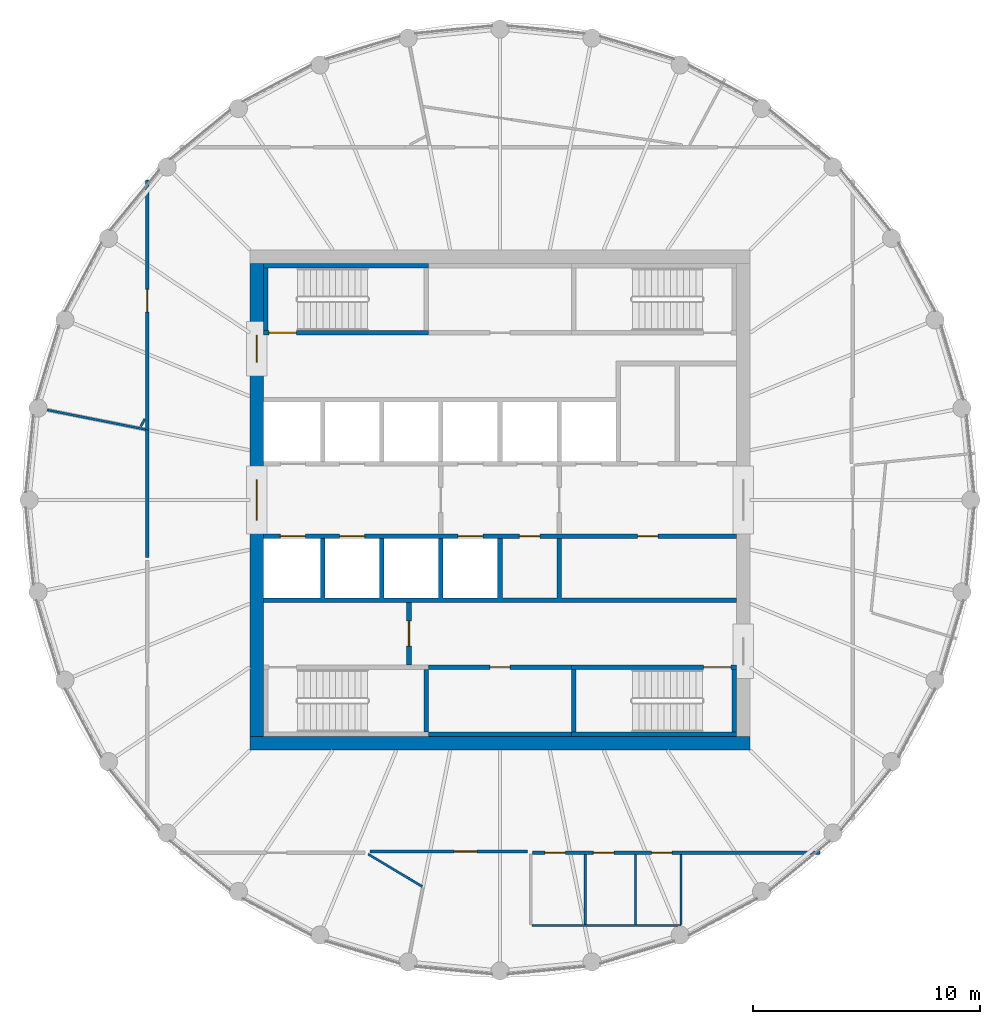
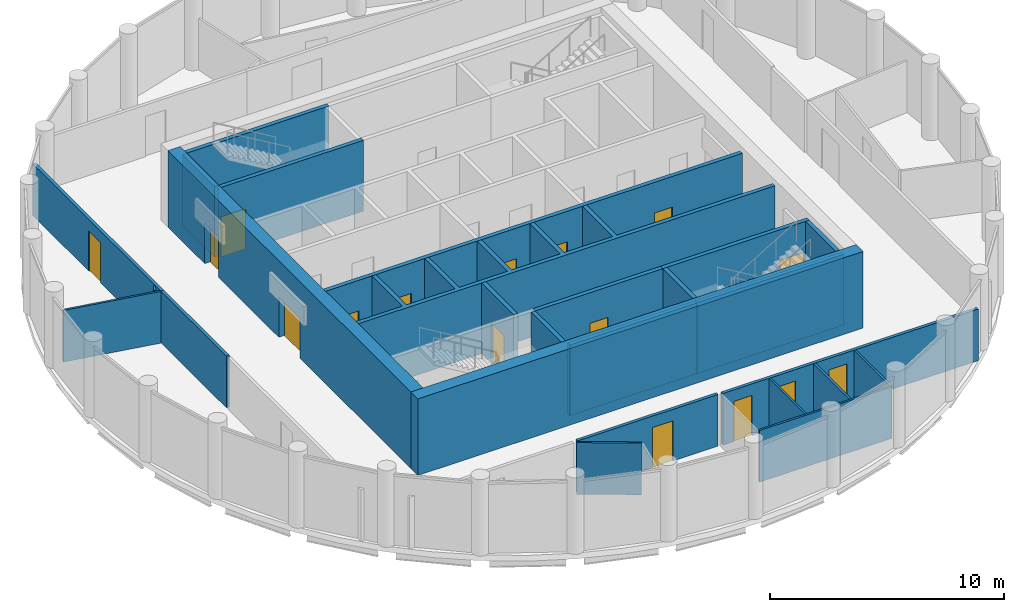
# One storey, part 4 of 7: 26 walls, 16 doors, 16 openings.
"""IFC4 building model written with IfcOpenShell, lengths in metres."""

from ifc_helpers import new_model, si_unit, direction, frame, frame_2d, origin, place, context, subcontext, project, spatial, polyline, rectangle, outline, extrude, material, layer, layer_set, type_object, element, fill, save


model = new_model("IFC4")

# Units and contexts
model_context = context("Model", 3, precision=1e-05, world=origin(), true_north=direction((0.0, 1.0)))
body_context = subcontext(model_context, "Body", "Model", "MODEL_VIEW")
ifc_project = project(units=[si_unit("LENGTHUNIT", "METRE"), si_unit("AREAUNIT", "SQUARE_METRE"), si_unit("VOLUMEUNIT", "CUBIC_METRE"), si_unit("PLANEANGLEUNIT", "RADIAN"), si_unit("MASSUNIT", "GRAM", prefix="KILO")], contexts=[model_context])

# Site, building, storey
site_placement = place(None, origin())
site = spatial("IfcSite", under=ifc_project, at=site_placement, CompositionType="ELEMENT")
building_placement = place(site_placement, origin())
building = spatial("IfcBuilding", under=site, at=building_placement, Name="Corvane Civic Tower", CompositionType="ELEMENT")
storey_placement = place(building_placement, frame((0.0, 0.0, 336.5)))
storey = spatial("IfcBuildingStorey", under=building, at=storey_placement, Name="L80", CompositionType="ELEMENT", Elevation=336.5)

# Wall
ifc_material_1 = material(Name="Concrete C40/50", Category="concrete")
ifc_layer_1 = layer(ifc_material_1, 0.60009765625)
ifc_layer_set_1 = layer_set([ifc_layer_1], Name="Concrete C40/50")
wall_type_1 = type_object("IfcWallType", Name="CORE WALL 600 C40/50", PredefinedType="SHEAR", material=ifc_layer_set_1)
wall_1_placement = place(storey_placement, frame((-11.0, -10.699951171875, 0.0), z_axis=(0.0, 0.0, 1.0), x_axis=(1.0, 0.0, 0.0)))
element("IfcWall", 1, at=wall_1_placement, inside=storey, type_object=wall_type_1, Name="W-L80-core-S", PredefinedType="SHEAR", context=body_context, shape_type="SweptSolid", body=[
    extrude(rectangle(XDim=22.0, YDim=0.60009765625, at=frame_2d((11.0, 0.0))), origin(), (0.0, 0.0, 1.0), 4.0),
])

# Wall, openings, doors
wall_2_placement = place(storey_placement, frame((-10.699951171875, -10.39990234375, 0.0), z_axis=(0.0, 0.0, 1.0), x_axis=(0.0, 1.0, 0.0)))
wall_2 = element("IfcWall", 2, at=wall_2_placement, inside=storey, type_object=wall_type_1, Name="W-L80-core-W", PredefinedType="SHEAR", context=body_context, shape_type="SweptSolid", body=[
    extrude(rectangle(XDim=20.7998046875, YDim=0.60009765625, at=frame_2d((10.39990234375, 0.0))), origin(), (0.0, 0.0, 1.0), 4.0),
])
opening_1_placement = place(wall_2_placement, frame((9.5, 0.0, 0.0)))
opening_1 = element("IfcOpeningElement", 3, at=opening_1_placement, cuts=wall_2, Name="Opening L80.C14", PredefinedType="OPENING", context=body_context, shape_type="SweptSolid", body=[
    extrude(rectangle(XDim=1.800048828125, YDim=2.10009765625, at=frame_2d((0.89990234375, 1.050048828125))), frame((0.0, 0.31005859375, 0.0), z_axis=(0.0, -1.0, 0.0), x_axis=(1.0, 0.0, 0.0)), (0.0, 0.0, 1.0), 0.6201171875),
])
opening_2_placement = place(wall_2_placement, frame((16.449951171875, 0.0, 0.0)))
opening_2 = element("IfcOpeningElement", 4, at=opening_2_placement, cuts=wall_2, Name="Opening L80.C16", PredefinedType="OPENING", context=body_context, shape_type="SweptSolid", body=[
    extrude(rectangle(XDim=1.199951171875, YDim=2.10009765625, at=frame_2d((0.60009765625, 1.050048828125))), frame((0.0, 0.31005859375, 0.0), z_axis=(0.0, -1.0, 0.0), x_axis=(1.0, 0.0, 0.0)), (0.0, 0.0, 1.0), 0.6201171875),
])
ifc_material_2 = material(Name="Steel fire door leaf", Category="steel")
door_type_1 = type_object("IfcDoorType", Name="CR-DOOR-CORE-1800", OperationType="DOUBLE_DOOR_SINGLE_SWING", PredefinedType="DOOR", material=ifc_material_2)
door_1_placement = place(opening_1_placement, origin())
door_1 = element("IfcDoor", 5, at=door_1_placement, inside=storey, type_object=door_type_1, Name="L80 door", OperationType="DOUBLE_DOOR_SINGLE_SWING", OverallHeight=2.10009765625, OverallWidth=1.800048828125, PredefinedType="DOOR", context=body_context, shape_type="SweptSolid", body=[
    extrude(rectangle(XDim=1.800048828125, YDim=2.10009765625, at=frame_2d((0.89990234375, 1.050048828125))), frame((0.0, 0.02490234375, 0.0), z_axis=(0.0, -1.0, 0.0), x_axis=(1.0, 0.0, 0.0)), (0.0, 0.0, 1.0), 0.050048828125),
])
fill(opening_1, door_1)
door_2_placement = place(opening_2_placement, origin())
door_2 = element("IfcDoor", 6, at=door_2_placement, inside=storey, type_object=door_type_1, Name="L80 door", OperationType="DOUBLE_DOOR_SINGLE_SWING", OverallHeight=2.10009765625, OverallWidth=1.199951171875, PredefinedType="DOOR", context=body_context, shape_type="SweptSolid", body=[
    extrude(rectangle(XDim=1.199951171875, YDim=2.10009765625, at=frame_2d((0.60009765625, 1.050048828125))), frame((0.0, 0.02490234375, 0.0), z_axis=(0.0, -1.0, 0.0), x_axis=(1.0, 0.0, 0.0)), (0.0, 0.0, 1.0), 0.050048828125),
])
fill(opening_2, door_2)

# Wall, opening, door
ifc_material_3 = material(Name="Concrete C30/37", Category="concrete")
ifc_layer_2 = layer(ifc_material_3, 0.199951171875)
ifc_layer_set_2 = layer_set([ifc_layer_2], Name="Concrete C30/37")
wall_type_2 = type_object("IfcWallType", Name="CR-WALL-200", PredefinedType="PARTITIONING", material=ifc_layer_set_2)
wall_3_placement = place(storey_placement, frame((-3.14990234375, -7.35009765625, 0.0), z_axis=(0.0, 0.0, 1.0), x_axis=(1.0, 0.0, 0.0)))
wall_3 = element("IfcWall", 7, at=wall_3_placement, inside=storey, type_object=wall_type_2, Name="L80 core partition wall", PredefinedType="PARTITIONING", context=body_context, shape_type="SweptSolid", body=[
    extrude(rectangle(XDim=6.2998046875, YDim=0.199951171875, at=frame_2d((3.14990234375, 0.0))), origin(), (0.0, 0.0, 1.0), 3.699951171875),
])
opening_3_placement = place(wall_3_placement, frame((2.699951171875, 0.0, 0.0)))
opening_3 = element("IfcOpeningElement", 8, at=opening_3_placement, cuts=wall_3, Name="Opening L80.C06", PredefinedType="OPENING", context=body_context, shape_type="SweptSolid", body=[
    extrude(rectangle(XDim=0.89990234375, YDim=2.10009765625, at=frame_2d((0.449951171875, 1.050048828125))), frame((0.0, 0.10986328125, 0.0), z_axis=(0.0, -1.0, 0.0), x_axis=(1.0, 0.0, 0.0)), (0.0, 0.0, 1.0), 0.219970703125),
])
ifc_material_4 = material(Name="Steel fire door leaf", Category="steel")
door_type_2 = type_object("IfcDoorType", Name="CR-DOOR-900", OperationType="SINGLE_SWING_LEFT", PredefinedType="DOOR", material=ifc_material_4)
door_3_placement = place(opening_3_placement, origin())
door_3 = element("IfcDoor", 9, at=door_3_placement, inside=storey, type_object=door_type_2, Name="L80 door", OperationType="SINGLE_SWING_LEFT", OverallHeight=2.10009765625, OverallWidth=0.89990234375, PredefinedType="DOOR", context=body_context, shape_type="SweptSolid", body=[
    extrude(rectangle(XDim=0.89990234375, YDim=2.10009765625, at=frame_2d((0.449951171875, 1.050048828125))), frame((0.0, 0.02490234375, 0.0), z_axis=(0.0, -1.0, 0.0), x_axis=(1.0, 0.0, 0.0)), (0.0, 0.0, 1.0), 0.050048828125),
])
fill(opening_3, door_3)

# Wall, openings, doors
wall_4_placement = place(storey_placement, frame((-10.39990234375, -1.60009765625, 0.0), z_axis=(0.0, 0.0, 1.0), x_axis=(1.0, 0.0, 0.0)))
wall_4 = element("IfcWall", 10, at=wall_4_placement, inside=storey, type_object=wall_type_2, Name="L80 lift shaft wall", PredefinedType="PARTITIONING", context=body_context, shape_type="SweptSolid", body=[
    extrude(rectangle(XDim=20.7998046875, YDim=0.199951171875, at=frame_2d((10.39990234375, 0.0))), origin(), (0.0, 0.0, 1.0), 3.699951171875),
])
opening_4_placement = place(wall_4_placement, frame((0.75, 0.0, 0.0)))
opening_4 = element("IfcOpeningElement", 11, at=opening_4_placement, cuts=wall_4, Name="Opening LD", PredefinedType="OPENING", context=body_context, shape_type="SweptSolid", body=[
    extrude(rectangle(XDim=1.10009765625, YDim=2.10009765625, at=frame_2d((0.550048828125, 1.050048828125))), frame((0.0, 0.10986328125, 0.0), z_axis=(0.0, -1.0, 0.0), x_axis=(1.0, 0.0, 0.0)), (0.0, 0.0, 1.0), 0.219970703125),
])
opening_5_placement = place(wall_4_placement, frame((3.35009765625, 0.0, 0.0)))
opening_5 = element("IfcOpeningElement", 12, at=opening_5_placement, cuts=wall_4, Name="Opening LD", PredefinedType="OPENING", context=body_context, shape_type="SweptSolid", body=[
    extrude(rectangle(XDim=1.10009765625, YDim=2.10009765625, at=frame_2d((0.550048828125, 1.050048828125))), frame((0.0, 0.10986328125, 0.0), z_axis=(0.0, -1.0, 0.0), x_axis=(1.0, 0.0, 0.0)), (0.0, 0.0, 1.0), 0.219970703125),
])
opening_6_placement = place(wall_4_placement, frame((8.550048828125, 0.0, 0.0)))
opening_6 = element("IfcOpeningElement", 13, at=opening_6_placement, cuts=wall_4, Name="Opening LD", PredefinedType="OPENING", context=body_context, shape_type="SweptSolid", body=[
    extrude(rectangle(XDim=1.10009765625, YDim=2.10009765625, at=frame_2d((0.550048828125, 1.050048828125))), frame((0.0, 0.10986328125, 0.0), z_axis=(0.0, -1.0, 0.0), x_axis=(1.0, 0.0, 0.0)), (0.0, 0.0, 1.0), 0.219970703125),
])
opening_7_placement = place(wall_4_placement, frame((11.25, 0.0, 0.0)))
opening_7 = element("IfcOpeningElement", 14, at=opening_7_placement, cuts=wall_4, Name="Opening L80.C03", PredefinedType="OPENING", context=body_context, shape_type="SweptSolid", body=[
    extrude(rectangle(XDim=0.89990234375, YDim=2.10009765625, at=frame_2d((0.449951171875, 1.050048828125))), frame((0.0, 0.10986328125, 0.0), z_axis=(0.0, -1.0, 0.0), x_axis=(1.0, 0.0, 0.0)), (0.0, 0.0, 1.0), 0.219970703125),
])
opening_8_placement = place(wall_4_placement, frame((16.449951171875, 0.0, 0.0)))
opening_8 = element("IfcOpeningElement", 15, at=opening_8_placement, cuts=wall_4, Name="Opening L80.C04", PredefinedType="OPENING", context=body_context, shape_type="SweptSolid", body=[
    extrude(rectangle(XDim=0.89990234375, YDim=2.10009765625, at=frame_2d((0.449951171875, 1.050048828125))), frame((0.0, 0.10986328125, 0.0), z_axis=(0.0, -1.0, 0.0), x_axis=(1.0, 0.0, 0.0)), (0.0, 0.0, 1.0), 0.219970703125),
])
door_4_placement = place(opening_7_placement, origin())
door_4 = element("IfcDoor", 16, at=door_4_placement, inside=storey, type_object=door_type_2, Name="L80 door", OperationType="SINGLE_SWING_LEFT", OverallHeight=2.10009765625, OverallWidth=0.89990234375, PredefinedType="DOOR", context=body_context, shape_type="SweptSolid", body=[
    extrude(rectangle(XDim=0.89990234375, YDim=2.10009765625, at=frame_2d((0.449951171875, 1.050048828125))), frame((0.0, 0.02490234375, 0.0), z_axis=(0.0, -1.0, 0.0), x_axis=(1.0, 0.0, 0.0)), (0.0, 0.0, 1.0), 0.050048828125),
])
fill(opening_7, door_4)
door_5_placement = place(opening_8_placement, origin())
door_5 = element("IfcDoor", 17, at=door_5_placement, inside=storey, type_object=door_type_2, Name="L80 door", OperationType="SINGLE_SWING_LEFT", OverallHeight=2.10009765625, OverallWidth=0.89990234375, PredefinedType="DOOR", context=body_context, shape_type="SweptSolid", body=[
    extrude(rectangle(XDim=0.89990234375, YDim=2.10009765625, at=frame_2d((0.449951171875, 1.050048828125))), frame((0.0, 0.02490234375, 0.0), z_axis=(0.0, -1.0, 0.0), x_axis=(1.0, 0.0, 0.0)), (0.0, 0.0, 1.0), 0.050048828125),
])
fill(opening_8, door_5)
ifc_material_5 = material(Name="Stainless steel 316 door leaves", Category="steel")
door_type_3 = type_object("IfcDoorType", Name="LD", OperationType="DOUBLE_DOOR_SLIDING", PredefinedType="DOOR", material=ifc_material_5)
door_6_placement = place(opening_4_placement, origin())
door_6 = element("IfcDoor", 18, at=door_6_placement, inside=storey, type_object=door_type_3, Name="L80 landing door", OperationType="DOUBLE_DOOR_SLIDING", OverallHeight=2.10009765625, OverallWidth=1.10009765625, PredefinedType="DOOR", context=body_context, shape_type="SweptSolid", body=[
    extrude(rectangle(XDim=1.10009765625, YDim=2.10009765625, at=frame_2d((0.550048828125, 1.050048828125))), frame((0.0, 0.02490234375, 0.0), z_axis=(0.0, -1.0, 0.0), x_axis=(1.0, 0.0, 0.0)), (0.0, 0.0, 1.0), 0.050048828125),
])
fill(opening_4, door_6)
door_7_placement = place(opening_5_placement, origin())
door_7 = element("IfcDoor", 19, at=door_7_placement, inside=storey, type_object=door_type_3, Name="L80 landing door", OperationType="DOUBLE_DOOR_SLIDING", OverallHeight=2.10009765625, OverallWidth=1.10009765625, PredefinedType="DOOR", context=body_context, shape_type="SweptSolid", body=[
    extrude(rectangle(XDim=1.10009765625, YDim=2.10009765625, at=frame_2d((0.550048828125, 1.050048828125))), frame((0.0, 0.02490234375, 0.0), z_axis=(0.0, -1.0, 0.0), x_axis=(1.0, 0.0, 0.0)), (0.0, 0.0, 1.0), 0.050048828125),
])
fill(opening_5, door_7)
door_8_placement = place(opening_6_placement, origin())
door_8 = element("IfcDoor", 20, at=door_8_placement, inside=storey, type_object=door_type_3, Name="L80 landing door", OperationType="DOUBLE_DOOR_SLIDING", OverallHeight=2.10009765625, OverallWidth=1.10009765625, PredefinedType="DOOR", context=body_context, shape_type="SweptSolid", body=[
    extrude(rectangle(XDim=1.10009765625, YDim=2.10009765625, at=frame_2d((0.550048828125, 1.050048828125))), frame((0.0, 0.02490234375, 0.0), z_axis=(0.0, -1.0, 0.0), x_axis=(1.0, 0.0, 0.0)), (0.0, 0.0, 1.0), 0.050048828125),
])
fill(opening_6, door_8)

# Wall, opening, door
wall_5_placement = place(storey_placement, frame((-4.0, -7.25, 0.0), z_axis=(0.0, 0.0, 1.0), x_axis=(0.0, 1.0, 0.0)))
wall_5 = element("IfcWall", 21, at=wall_5_placement, inside=storey, type_object=wall_type_2, Name="L80 core partition wall", PredefinedType="PARTITIONING", context=body_context, shape_type="SweptSolid", body=[
    extrude(rectangle(XDim=2.75, YDim=0.199951171875, at=frame_2d((1.375, 0.0))), origin(), (0.0, 0.0, 1.0), 3.699951171875),
])
opening_9_placement = place(wall_5_placement, frame((0.824951171875, 0.0, 0.0)))
opening_9 = element("IfcOpeningElement", 22, at=opening_9_placement, cuts=wall_5, Name="Opening L80.C13", PredefinedType="OPENING", context=body_context, shape_type="SweptSolid", body=[
    extrude(rectangle(XDim=1.10009765625, YDim=2.10009765625, at=frame_2d((0.550048828125, 1.050048828125))), frame((0.0, 0.10986328125, 0.0), z_axis=(0.0, -1.0, 0.0), x_axis=(1.0, 0.0, 0.0)), (0.0, 0.0, 1.0), 0.219970703125),
])
ifc_material_6 = material(Name="Steel fire door leaf", Category="steel")
door_type_4 = type_object("IfcDoorType", Name="CR-DOOR-FFL-1100", OperationType="SINGLE_SWING_LEFT", PredefinedType="DOOR", material=ifc_material_6)
door_9_placement = place(opening_9_placement, origin())
door_9 = element("IfcDoor", 23, at=door_9_placement, inside=storey, type_object=door_type_4, Name="L80 lobby door", OperationType="SINGLE_SWING_LEFT", OverallHeight=2.10009765625, OverallWidth=1.10009765625, PredefinedType="DOOR", context=body_context, shape_type="SweptSolid", body=[
    extrude(rectangle(XDim=1.10009765625, YDim=2.10009765625, at=frame_2d((0.550048828125, 1.050048828125))), frame((0.0, 0.02490234375, 0.0), z_axis=(0.0, -1.0, 0.0), x_axis=(1.0, 0.0, 0.0)), (0.0, 0.0, 1.0), 0.050048828125),
])
fill(opening_9, door_9)

# Walls
wall_6_placement = place(storey_placement, origin())
element("IfcWall", 24, at=wall_6_placement, inside=storey, type_object=wall_type_2, Name="L80 core partition wall", PredefinedType="PARTITIONING", context=body_context, shape_type="SweptSolid", body=[
    extrude(outline(polyline([(-7.89990234375, -4.300048828125), (-7.89990234375, -1.699951171875), (-7.699951171875, -1.699951171875), (-7.699951171875, -4.300048828125), (-5.300048828125, -4.300048828125), (-5.300048828125, -1.699951171875), (-5.10009765625, -1.699951171875), (-5.10009765625, -4.300048828125), (-2.699951171875, -4.300048828125), (-2.699951171875, -1.699951171875), (-2.5, -1.699951171875), (-2.5, -4.300048828125), (-0.10009765625, -4.300048828125), (-0.10009765625, -1.699951171875), (0.10009765625, -1.699951171875), (0.10009765625, -4.300048828125), (2.5, -4.300048828125), (2.5, -1.699951171875), (2.699951171875, -1.699951171875), (2.699951171875, -4.300048828125), (10.39990234375, -4.300048828125), (10.39990234375, -4.5), (-10.39990234375, -4.5), (-10.39990234375, -4.300048828125), (-7.89990234375, -4.300048828125)])), origin(), (0.0, 0.0, 1.0), 3.699951171875),
])
wall_7_placement = place(storey_placement, origin())
element("IfcWall", 25, at=wall_7_placement, inside=storey, type_object=wall_type_2, Name="L80 core partition wall", PredefinedType="PARTITIONING", context=body_context, shape_type="SweptSolid", body=[
    extrude(outline(polyline([(3.14990234375, -10.199951171875), (3.14990234375, -10.39990234375), (-3.14990234375, -10.39990234375), (-3.14990234375, -10.199951171875), (3.14990234375, -10.199951171875)])), origin(), (0.0, 0.0, 1.0), 3.699951171875),
])
ifc_material_7 = material(Name="Plasterboard")
ifc_layer_3 = layer(ifc_material_7, 0.10009765625)
ifc_layer_set_3 = layer_set([ifc_layer_3], Name="Plasterboard")
wall_type_3 = type_object("IfcWallType", Name="Partition 100 plasterboard on studs", PredefinedType="PARTITIONING", material=ifc_layer_set_3)
wall_8_placement = place(storey_placement, frame((1.4033203125, -18.699951171875, 0.0), z_axis=(0.0, 0.0, 1.0), x_axis=(1.0, 0.0, 0.0)))
element("IfcWall", 26, at=wall_8_placement, inside=storey, type_object=wall_type_3, Name="Partition L80.002", PredefinedType="PARTITIONING", context=body_context, shape_type="SweptSolid", body=[
    extrude(rectangle(XDim=6.550048828125, YDim=0.10009765625, at=frame_2d((3.27490234375, 0.0))), origin(), (0.0, 0.0, 1.0), 2.699951171875),
])
for number, where, z_axis, x_axis, name in (
    (27, (7.953369140625, -18.64990234375, 0.0), (0.0, 0.0, 1.0), (0.0, 1.0, 0.0), "Partition L80.003"),
    (28, (3.75341796875, -18.64990234375, 0.0), (0.0, 0.0, 1.0), (0.0, 1.0, 0.0), "Partition L80.005"),
    (29, (5.953369140625, -18.64990234375, 0.0), (0.0, 0.0, 1.0), (0.0, 1.0, 0.0), "Partition L80.006"),
):
    element("IfcWall", number, at=place(storey_placement, frame(where, z_axis=z_axis, x_axis=x_axis)), inside=storey, type_object=wall_type_3, Name=name, PredefinedType="PARTITIONING", context=body_context, shape_type="SweptSolid", body=[
        extrude(rectangle(XDim=3.074951171875, YDim=0.10009765625, at=frame_2d((1.53759765625, 0.0))), origin(), (0.0, 0.0, 1.0), 2.699951171875),
    ])
wall_9_placement = place(storey_placement, frame((-5.79443359375, -15.56787109375, 0.0), z_axis=(0.0, 0.0, 1.0), x_axis=(0.85774124689, -0.514081660229, 0.0)))
element("IfcWall", 30, at=wall_9_placement, inside=storey, type_object=wall_type_3, Name="Partition L80.007", PredefinedType="PARTITIONING", context=body_context, shape_type="SweptSolid", body=[
    extrude(rectangle(XDim=2.77490234375, YDim=0.10009765625, at=frame_2d((1.387451171875, 0.0))), origin(), (0.0, 0.0, 1.0), 2.699951171875),
])
wall_10_placement = place(storey_placement, frame((-19.900146484375, 3.95849609375, 0.0), z_axis=(0.0, 0.0, 1.0), x_axis=(0.98078501504, -0.195091656081, 0.0)))
element("IfcWall", 31, at=wall_10_placement, inside=storey, type_object=wall_type_3, Name="Partition L80.019", PredefinedType="PARTITIONING", context=body_context, shape_type="SweptSolid", body=[
    extrude(rectangle(XDim=4.39990234375, YDim=0.10009765625, at=frame_2d((2.199951171875, 0.0))), origin(), (0.0, 0.0, 1.0), 2.699951171875),
])
wall_11_placement = place(storey_placement, frame((-15.789794921875, 3.232666015625, 0.0), z_axis=(0.0, 0.0, 1.0), x_axis=(0.471271347015, 0.881988275139, 0.0)))
element("IfcWall", 32, at=wall_11_placement, inside=storey, type_object=wall_type_3, Name="Partition L80.027", PredefinedType="PARTITIONING", context=body_context, shape_type="SweptSolid", body=[
    extrude(rectangle(XDim=0.370849609375, YDim=0.10009765625, at=frame_2d((0.185546875, 0.0))), origin(), (0.0, 0.0, 1.0), 2.699951171875),
])

# Wall, opening, door
ifc_material_8 = material(Name="Concrete C50/60", Category="concrete")
ifc_layer_4 = layer(ifc_material_8, 0.199951171875)
ifc_layer_set_4 = layer_set([ifc_layer_4], Name="Concrete C50/60")
wall_type_4 = type_object("IfcWallType", Name="ST-WALL-200", PredefinedType="SHEAR", material=ifc_layer_set_4)
wall_12_placement = place(storey_placement, frame((3.14990234375, -7.35009765625, 0.0), z_axis=(0.0, 0.0, 1.0), x_axis=(1.0, 0.0, 0.0)))
wall_12 = element("IfcWall", 33, at=wall_12_placement, inside=storey, type_object=wall_type_4, Name="L80 stair enclosure wall", PredefinedType="SHEAR", context=body_context, shape_type="SweptSolid", body=[
    extrude(rectangle(XDim=7.25, YDim=0.199951171875, at=frame_2d((3.625, 0.0))), origin(), (0.0, 0.0, 1.0), 3.699951171875),
])
opening_10_placement = place(wall_12_placement, frame((5.800048828125, 0.0, 0.0)))
opening_10 = element("IfcOpeningElement", 34, at=opening_10_placement, cuts=wall_12, Name="Opening L80.C09", PredefinedType="OPENING", context=body_context, shape_type="SweptSolid", body=[
    extrude(rectangle(XDim=1.199951171875, YDim=2.10009765625, at=frame_2d((0.60009765625, 1.050048828125))), frame((0.0, 0.10986328125, 0.0), z_axis=(0.0, -1.0, 0.0), x_axis=(1.0, 0.0, 0.0)), (0.0, 0.0, 1.0), 0.219970703125),
])
ifc_material_9 = material(Name="Steel fire door leaf", Category="steel")
door_type_5 = type_object("IfcDoorType", Name="ST-DOOR-1200", OperationType="SINGLE_SWING_RIGHT", PredefinedType="DOOR", material=ifc_material_9)
door_10_placement = place(opening_10_placement, origin())
door_10 = element("IfcDoor", 35, at=door_10_placement, inside=storey, type_object=door_type_5, Name="L80 stair door", OperationType="SINGLE_SWING_RIGHT", OverallHeight=2.10009765625, OverallWidth=1.199951171875, PredefinedType="DOOR", context=body_context, shape_type="SweptSolid", body=[
    extrude(rectangle(XDim=1.199951171875, YDim=2.10009765625, at=frame_2d((0.60009765625, 1.050048828125))), frame((0.0, 0.02490234375, 0.0), z_axis=(0.0, -1.0, 0.0), x_axis=(1.0, 0.0, 0.0)), (0.0, 0.0, 1.0), 0.050048828125),
])
fill(opening_10, door_10)

wall_13_placement = place(storey_placement, frame((-10.39990234375, 7.35009765625, 0.0), z_axis=(0.0, 0.0, 1.0), x_axis=(1.0, 0.0, 0.0)))
wall_13 = element("IfcWall", 36, at=wall_13_placement, inside=storey, type_object=wall_type_4, Name="L80 stair enclosure wall", PredefinedType="SHEAR", context=body_context, shape_type="SweptSolid", body=[
    extrude(rectangle(XDim=7.25, YDim=0.199951171875, at=frame_2d((3.625, 0.0))), origin(), (0.0, 0.0, 1.0), 3.699951171875),
])
opening_11_placement = place(wall_13_placement, frame((0.25, 0.0, 0.0)))
opening_11 = element("IfcOpeningElement", 37, at=opening_11_placement, cuts=wall_13, Name="Opening L80.C08", PredefinedType="OPENING", context=body_context, shape_type="SweptSolid", body=[
    extrude(rectangle(XDim=1.199951171875, YDim=2.10009765625, at=frame_2d((0.60009765625, 1.050048828125))), frame((0.0, 0.10986328125, 0.0), z_axis=(0.0, -1.0, 0.0), x_axis=(1.0, 0.0, 0.0)), (0.0, 0.0, 1.0), 0.219970703125),
])
door_11_placement = place(opening_11_placement, origin())
door_11 = element("IfcDoor", 38, at=door_11_placement, inside=storey, type_object=door_type_5, Name="L80 stair door", OperationType="SINGLE_SWING_RIGHT", OverallHeight=2.10009765625, OverallWidth=1.199951171875, PredefinedType="DOOR", context=body_context, shape_type="SweptSolid", body=[
    extrude(rectangle(XDim=1.199951171875, YDim=2.10009765625, at=frame_2d((0.60009765625, 1.050048828125))), frame((0.0, 0.02490234375, 0.0), z_axis=(0.0, -1.0, 0.0), x_axis=(1.0, 0.0, 0.0)), (0.0, 0.0, 1.0), 0.050048828125),
])
fill(opening_11, door_11)

# Walls
wall_14_placement = place(storey_placement, origin())
element("IfcWall", 39, at=wall_14_placement, inside=storey, type_object=wall_type_4, Name="L80 stair enclosure wall", PredefinedType="SHEAR", context=body_context, shape_type="SweptSolid", body=[
    extrude(outline(polyline([(-3.14990234375, 10.199951171875), (-10.39990234375, 10.199951171875), (-10.39990234375, 10.39990234375), (-3.14990234375, 10.39990234375), (-3.14990234375, 10.199951171875)])), origin(), (0.0, 0.0, 1.0), 3.699951171875),
])
wall_15_placement = place(storey_placement, origin())
element("IfcWall", 40, at=wall_15_placement, inside=storey, type_object=wall_type_4, Name="L80 stair enclosure wall", PredefinedType="SHEAR", context=body_context, shape_type="SweptSolid", body=[
    extrude(outline(polyline([(10.39990234375, -10.39990234375), (3.14990234375, -10.39990234375), (3.14990234375, -10.199951171875), (10.39990234375, -10.199951171875), (10.39990234375, -10.39990234375)])), origin(), (0.0, 0.0, 1.0), 3.699951171875),
])
wall_16_placement = place(storey_placement, origin())
element("IfcWall", 41, at=wall_16_placement, inside=storey, type_object=wall_type_4, Name="L80 stair enclosure wall", PredefinedType="SHEAR", context=body_context, shape_type="SweptSolid", body=[
    extrude(outline(polyline([(-3.14990234375, -7.449951171875), (-3.14990234375, -10.199951171875), (-3.35009765625, -10.199951171875), (-3.35009765625, -7.449951171875), (-3.14990234375, -7.449951171875)])), origin(), (0.0, 0.0, 1.0), 3.699951171875),
])
wall_17_placement = place(storey_placement, origin())
element("IfcWall", 42, at=wall_17_placement, inside=storey, type_object=wall_type_4, Name="L80 stair enclosure wall", PredefinedType="SHEAR", context=body_context, shape_type="SweptSolid", body=[
    extrude(outline(polyline([(3.35009765625, -7.449951171875), (3.35009765625, -10.199951171875), (3.14990234375, -10.199951171875), (3.14990234375, -7.449951171875), (3.35009765625, -7.449951171875)])), origin(), (0.0, 0.0, 1.0), 3.699951171875),
])
wall_18_placement = place(storey_placement, origin())
element("IfcWall", 43, at=wall_18_placement, inside=storey, type_object=wall_type_4, Name="L80 stair enclosure wall", PredefinedType="SHEAR", context=body_context, shape_type="SweptSolid", body=[
    extrude(outline(polyline([(-10.199951171875, 7.449951171875), (-10.39990234375, 7.449951171875), (-10.39990234375, 10.199951171875), (-10.199951171875, 10.199951171875), (-10.199951171875, 7.449951171875)])), origin(), (0.0, 0.0, 1.0), 3.699951171875),
])
wall_19_placement = place(storey_placement, origin())
element("IfcWall", 44, at=wall_19_placement, inside=storey, type_object=wall_type_4, Name="L80 stair enclosure wall", PredefinedType="SHEAR", context=body_context, shape_type="SweptSolid", body=[
    extrude(outline(polyline([(10.39990234375, -7.449951171875), (10.39990234375, -10.199951171875), (10.199951171875, -10.199951171875), (10.199951171875, -7.449951171875), (10.39990234375, -7.449951171875)])), origin(), (0.0, 0.0, 1.0), 3.699951171875),
])

# Wall, openings, doors
ifc_material_10 = material(Name="Plasterboard")
ifc_layer_5 = layer(ifc_material_10, 0.14990234375)
ifc_layer_set_5 = layer_set([ifc_layer_5], Name="Plasterboard")
wall_type_5 = type_object("IfcWallType", Name="Tenancy wall 150 EI 60", PredefinedType="PARTITIONING", material=ifc_layer_set_5)
wall_20_placement = place(storey_placement, frame((1.42822265625, -15.5, 0.0), z_axis=(0.0, 0.0, 1.0), x_axis=(1.0, 0.0, 0.0)))
wall_20 = element("IfcWall", 45, at=wall_20_placement, inside=storey, type_object=wall_type_5, Name="Partition L80.009", PredefinedType="PARTITIONING", context=body_context, shape_type="SweptSolid", body=[
    extrude(rectangle(XDim=12.62890625, YDim=0.14990234375, at=frame_2d((6.314453125, 0.0))), origin(), (0.0, 0.0, 1.0), 2.699951171875),
])
opening_12_placement = place(wall_20_placement, frame((0.5498046875, 0.0, 0.0)))
opening_12 = element("IfcOpeningElement", 46, at=opening_12_placement, cuts=wall_20, Name="Opening L80.012", PredefinedType="OPENING", context=body_context, shape_type="SweptSolid", body=[
    extrude(rectangle(XDim=0.89990234375, YDim=2.10009765625, at=frame_2d((0.449951171875, 1.050048828125))), frame((0.0, 0.0849609375, 0.0), z_axis=(0.0, -1.0, 0.0), x_axis=(1.0, 0.0, 0.0)), (0.0, 0.0, 1.0), 0.169921875),
])
opening_13_placement = place(wall_20_placement, frame((2.681884765625, 0.0, 0.0)))
opening_13 = element("IfcOpeningElement", 47, at=opening_13_placement, cuts=wall_20, Name="Opening L80.013", PredefinedType="OPENING", context=body_context, shape_type="SweptSolid", body=[
    extrude(rectangle(XDim=0.89990234375, YDim=2.10009765625, at=frame_2d((0.449951171875, 1.050048828125))), frame((0.0, 0.0849609375, 0.0), z_axis=(0.0, -1.0, 0.0), x_axis=(1.0, 0.0, 0.0)), (0.0, 0.0, 1.0), 0.169921875),
])
opening_14_placement = place(wall_20_placement, frame((5.242431640625, 0.0, 0.0)))
opening_14 = element("IfcOpeningElement", 48, at=opening_14_placement, cuts=wall_20, Name="Opening L80.014", PredefinedType="OPENING", context=body_context, shape_type="SweptSolid", body=[
    extrude(rectangle(XDim=0.89990234375, YDim=2.10009765625, at=frame_2d((0.449951171875, 1.050048828125))), frame((0.0, 0.0849609375, 0.0), z_axis=(0.0, -1.0, 0.0), x_axis=(1.0, 0.0, 0.0)), (0.0, 0.0, 1.0), 0.169921875),
])
ifc_material_11 = material(Name="Steel and timber", Category="steel")
door_type_6 = type_object("IfcDoorType", Name="Fire door FD30S 900", OperationType="NOTDEFINED", PredefinedType="DOOR", material=ifc_material_11)
door_12_placement = place(opening_12_placement, frame((0.89990234375, 0.0, 0.0), z_axis=(0.0, 0.0, 1.0), x_axis=(-1.0, 0.0, 0.0)))
door_12 = element("IfcDoor", 49, at=door_12_placement, inside=storey, type_object=door_type_6, Name="Door L80.012", OperationType="SINGLE_SWING_LEFT", OverallHeight=2.10009765625, OverallWidth=0.89990234375, PredefinedType="DOOR", context=body_context, shape_type="SweptSolid", body=[
    extrude(rectangle(XDim=0.89990234375, YDim=2.10009765625, at=frame_2d((0.449951171875, 1.050048828125))), frame((0.0, 0.02490234375, 0.0), z_axis=(0.0, -1.0, 0.0), x_axis=(1.0, 0.0, 0.0)), (0.0, 0.0, 1.0), 0.050048828125),
])
fill(opening_12, door_12)
door_13_placement = place(opening_13_placement, frame((0.89990234375, 0.0, 0.0), z_axis=(0.0, 0.0, 1.0), x_axis=(-1.0, 0.0, 0.0)))
door_13 = element("IfcDoor", 50, at=door_13_placement, inside=storey, type_object=door_type_6, Name="Door L80.013", OperationType="SINGLE_SWING_RIGHT", OverallHeight=2.10009765625, OverallWidth=0.89990234375, PredefinedType="DOOR", context=body_context, shape_type="SweptSolid", body=[
    extrude(rectangle(XDim=0.89990234375, YDim=2.10009765625, at=frame_2d((0.449951171875, 1.050048828125))), frame((0.0, 0.02490234375, 0.0), z_axis=(0.0, -1.0, 0.0), x_axis=(1.0, 0.0, 0.0)), (0.0, 0.0, 1.0), 0.050048828125),
])
fill(opening_13, door_13)
door_14_placement = place(opening_14_placement, frame((0.89990234375, 0.0, 0.0), z_axis=(0.0, 0.0, 1.0), x_axis=(-1.0, 0.0, 0.0)))
door_14 = element("IfcDoor", 51, at=door_14_placement, inside=storey, type_object=door_type_6, Name="Door L80.014", OperationType="SINGLE_SWING_LEFT", OverallHeight=2.10009765625, OverallWidth=0.89990234375, PredefinedType="DOOR", context=body_context, shape_type="SweptSolid", body=[
    extrude(rectangle(XDim=0.89990234375, YDim=2.10009765625, at=frame_2d((0.449951171875, 1.050048828125))), frame((0.0, 0.02490234375, 0.0), z_axis=(0.0, -1.0, 0.0), x_axis=(1.0, 0.0, 0.0)), (0.0, 0.0, 1.0), 0.050048828125),
])
fill(opening_14, door_14)

# Wall, opening, door
wall_21_placement = place(storey_placement, frame((-5.72021484375, -15.449951171875, 0.0), z_axis=(0.0, 0.0, 1.0), x_axis=(1.0, 0.0, 0.0)))
wall_21 = element("IfcWall", 52, at=wall_21_placement, inside=storey, type_object=wall_type_5, Name="Partition L80.010", PredefinedType="PARTITIONING", context=body_context, shape_type="SweptSolid", body=[
    extrude(rectangle(XDim=6.939208984375, YDim=0.14990234375, at=frame_2d((3.4697265625, 0.0))), origin(), (0.0, 0.0, 1.0), 2.699951171875),
])
opening_15_placement = place(wall_21_placement, frame((3.705810546875, 0.0, 0.0)))
opening_15 = element("IfcOpeningElement", 53, at=opening_15_placement, cuts=wall_21, Name="Opening L80.011", PredefinedType="OPENING", context=body_context, shape_type="SweptSolid", body=[
    extrude(rectangle(XDim=1.0, YDim=2.10009765625, at=frame_2d((0.5, 1.050048828125))), frame((0.0, 0.0849609375, 0.0), z_axis=(0.0, -1.0, 0.0), x_axis=(1.0, 0.0, 0.0)), (0.0, 0.0, 1.0), 0.169921875),
])
ifc_material_12 = material(Name="Steel and timber", Category="steel")
door_type_7 = type_object("IfcDoorType", Name="Fire door FD30S 1000", OperationType="NOTDEFINED", PredefinedType="DOOR", material=ifc_material_12)
door_15_placement = place(opening_15_placement, frame((1.0, 0.0, 0.0), z_axis=(0.0, 0.0, 1.0), x_axis=(-1.0, 0.0, 0.0)))
door_15 = element("IfcDoor", 54, at=door_15_placement, inside=storey, type_object=door_type_7, Name="Door L80.011", OperationType="SINGLE_SWING_LEFT", OverallHeight=2.10009765625, OverallWidth=1.0, PredefinedType="DOOR", context=body_context, shape_type="SweptSolid", body=[
    extrude(rectangle(XDim=1.0, YDim=2.10009765625, at=frame_2d((0.5, 1.050048828125))), frame((0.0, 0.02490234375, 0.0), z_axis=(0.0, -1.0, 0.0), x_axis=(1.0, 0.0, 0.0)), (0.0, 0.0, 1.0), 0.050048828125),
])
fill(opening_15, door_15)

# Wall
wall_22_placement = place(storey_placement, frame((-15.5, -2.52685546875, 0.0), z_axis=(0.0, 0.0, 1.0), x_axis=(0.0, 1.0, 0.0)))
element("IfcWall", 55, at=wall_22_placement, inside=storey, type_object=wall_type_5, Name="Partition L80.015", PredefinedType="PARTITIONING", context=body_context, shape_type="SweptSolid", body=[
    extrude(rectangle(XDim=5.60986328125, YDim=0.14990234375, at=frame_2d((2.804931640625, 0.0))), origin(), (0.0, 0.0, 1.0), 2.699951171875),
])

# Wall, opening, door
wall_23_placement = place(storey_placement, frame((-15.5, 3.0830078125, 0.0), z_axis=(0.0, 0.0, 1.0), x_axis=(0.0, 1.0, 0.0)))
wall_23 = element("IfcWall", 56, at=wall_23_placement, inside=storey, type_object=wall_type_5, Name="Partition L80.018", PredefinedType="PARTITIONING", context=body_context, shape_type="SweptSolid", body=[
    extrude(rectangle(XDim=10.97412109375, YDim=0.14990234375, at=frame_2d((5.487060546875, 0.0))), origin(), (0.0, 0.0, 1.0), 2.699951171875),
])
opening_16_placement = place(wall_23_placement, frame((5.17333984375, 0.0, 0.0)))
opening_16 = element("IfcOpeningElement", 57, at=opening_16_placement, cuts=wall_23, Name="Opening L80.003", PredefinedType="OPENING", context=body_context, shape_type="SweptSolid", body=[
    extrude(rectangle(XDim=1.0, YDim=2.10009765625, at=frame_2d((0.5, 1.050048828125))), frame((0.0, 0.0849609375, 0.0), z_axis=(0.0, -1.0, 0.0), x_axis=(1.0, 0.0, 0.0)), (0.0, 0.0, 1.0), 0.169921875),
])
door_16_placement = place(opening_16_placement, origin())
door_16 = element("IfcDoor", 58, at=door_16_placement, inside=storey, type_object=door_type_7, Name="Door L80.003", OperationType="SINGLE_SWING_LEFT", OverallHeight=2.10009765625, OverallWidth=1.0, PredefinedType="DOOR", context=body_context, shape_type="SweptSolid", body=[
    extrude(rectangle(XDim=1.0, YDim=2.10009765625, at=frame_2d((0.5, 1.050048828125))), frame((0.0, 0.02490234375, 0.0), z_axis=(0.0, -1.0, 0.0), x_axis=(1.0, 0.0, 0.0)), (0.0, 0.0, 1.0), 0.050048828125),
])
fill(opening_16, door_16)

save(model, "model.ifc")
